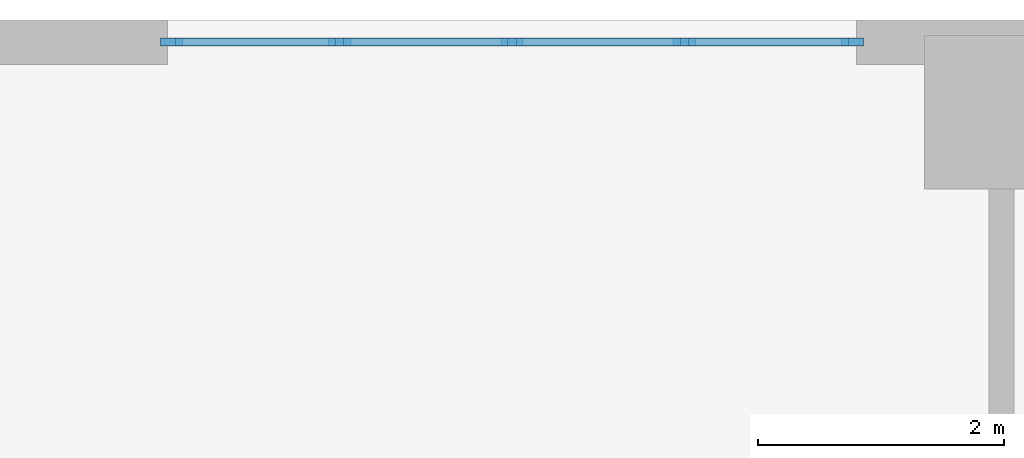
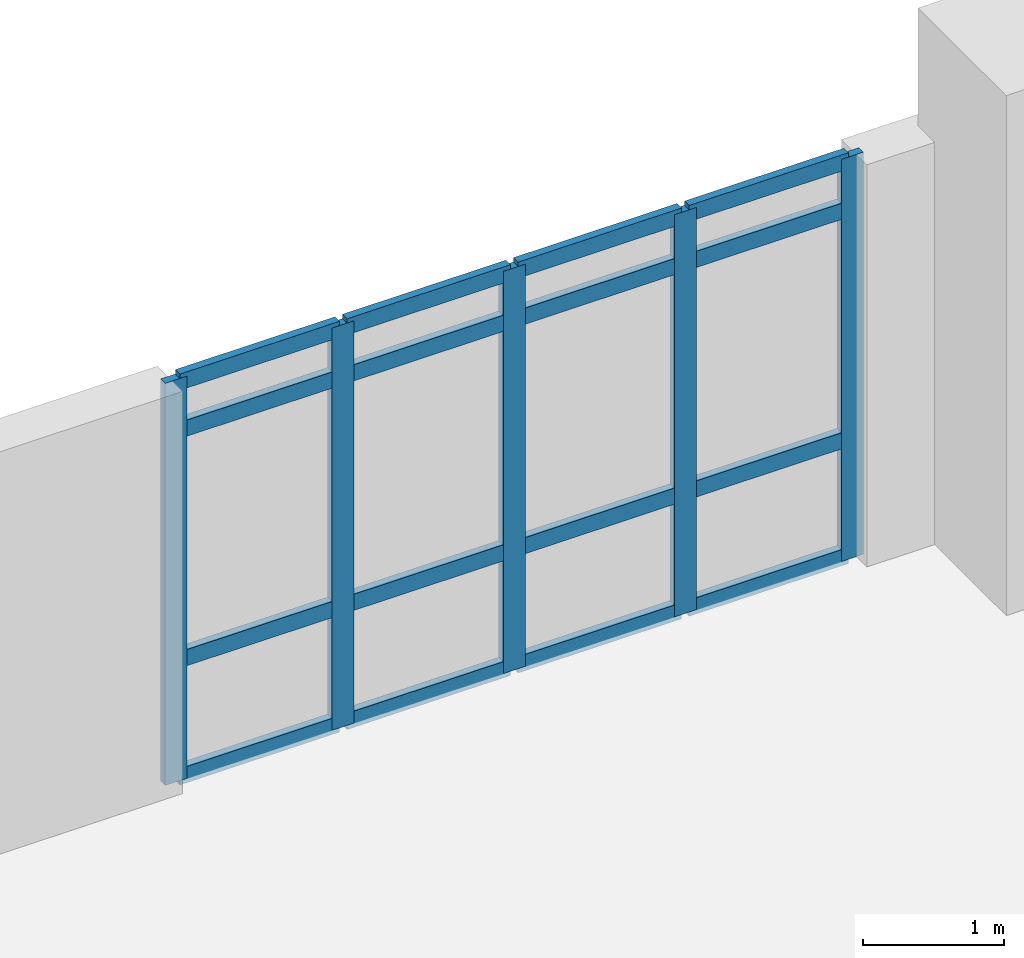
# One storey, part 4 of 14: 21 members, 1 element without a shape of its own.
"""IFC4 building model written with IfcOpenShell, lengths in metres."""

from ifc_helpers import new_model, si_unit, direction, frame, origin, origin_2d, place, context, subcontext, project, spatial, rectangle, extrude, material, material_profile, profile_set, type_object, element, aggregate, save


model = new_model("IFC4")

# Units and contexts
model_context = context("Model", 3, precision=1e-05, world=origin(), true_north=direction((0.0, 1.0)))
body_context = subcontext(model_context, "Body", "Model", "MODEL_VIEW")
ifc_project = project(units=[si_unit("LENGTHUNIT", "METRE"), si_unit("AREAUNIT", "SQUARE_METRE"), si_unit("VOLUMEUNIT", "CUBIC_METRE"), si_unit("PLANEANGLEUNIT", "RADIAN"), si_unit("MASSUNIT", "GRAM", prefix="KILO")], contexts=[model_context])

# Site, building, storey
site_placement = place(None, origin())
site = spatial("IfcSite", under=ifc_project, at=site_placement, CompositionType="ELEMENT")
building_placement = place(site_placement, origin())
building = spatial("IfcBuilding", under=site, at=building_placement, Name="Svetorya Sky Lyceum", CompositionType="ELEMENT")
storey_placement = place(building_placement, frame((0.0, 0.0, 15.60009765625)))
storey = spatial("IfcBuildingStorey", under=building, at=storey_placement, Name="L03", CompositionType="ELEMENT", Elevation=15.60009765625)

# Curtain wall, members
ifc_material_1 = material(Name="Thermally broken anodized aluminium and triple low-E glass", Category="aluminium")
curtain_wall_type = type_object("IfcCurtainWallType", Name="CW2-SCH-RIB", PredefinedType="NOTDEFINED", material=ifc_material_1)
curtain_wall_placement = place(storey_placement, origin())
curtain_wall = element("IfcCurtainWall", 1, at=curtain_wall_placement, inside=storey, type_object=curtain_wall_type, Name="L03 Lyceum Classroom Ribbon Curtain Wall 18", PredefinedType="NOTDEFINED")
ifc_material_2 = material(Name="Thermally broken anodized aluminium EN AW-6060", Category="aluminium")
ifc_material_profile_1 = material_profile(ifc_material_2, rectangle(XDim=0.06494140625, YDim=0.179931640625, at=origin_2d()), Name="ALU MULLION 65x180")
ifc_profile_set_1 = profile_set([ifc_material_profile_1], Name="Thermally broken anodized aluminium EN AW-6060")
member_type_1 = type_object("IfcMemberType", Name="CWM-MUL-180", PredefinedType="MULLION", material=ifc_profile_set_1)
member_1_placement = place(storey_placement, frame((62.137451171875, 56.219970703125, 0.0), z_axis=(0.0, 0.0, 1.0), x_axis=(0.0, -1.0, 0.0)))
member_1 = element("IfcMember", 2, at=member_1_placement, type_object=member_type_1, Name="CW-2 mullion 1", PredefinedType="MULLION", context=body_context, shape_type="SweptSolid", body=[
    extrude(rectangle(XDim=0.06494140625, YDim=0.179931640625, at=origin_2d()), origin(), (0.0, 0.0, 1.0), 3.47998046875),
])
member_2_placement = place(storey_placement, frame((60.77001953125, 56.219970703125, 0.0), z_axis=(0.0, 0.0, 1.0), x_axis=(0.0, -1.0, 0.0)))
member_2 = element("IfcMember", 3, at=member_2_placement, type_object=member_type_1, Name="CW-2 mullion 2", PredefinedType="MULLION", context=body_context, shape_type="SweptSolid", body=[
    extrude(rectangle(XDim=0.06494140625, YDim=0.179931640625, at=origin_2d()), origin(), (0.0, 0.0, 1.0), 3.47998046875),
])
member_3_placement = place(storey_placement, frame((59.3701171875, 56.219970703125, 0.0), z_axis=(0.0, 0.0, 1.0), x_axis=(0.0, -1.0, 0.0)))
member_3 = element("IfcMember", 4, at=member_3_placement, type_object=member_type_1, Name="CW-2 mullion 3", PredefinedType="MULLION", context=body_context, shape_type="SweptSolid", body=[
    extrude(rectangle(XDim=0.06494140625, YDim=0.179931640625, at=origin_2d()), origin(), (0.0, 0.0, 1.0), 3.47998046875),
])
member_4_placement = place(storey_placement, frame((57.969970703125, 56.219970703125, 0.0), z_axis=(0.0, 0.0, 1.0), x_axis=(0.0, -1.0, 0.0)))
member_4 = element("IfcMember", 5, at=member_4_placement, type_object=member_type_1, Name="CW-2 mullion 4", PredefinedType="MULLION", context=body_context, shape_type="SweptSolid", body=[
    extrude(rectangle(XDim=0.06494140625, YDim=0.179931640625, at=origin_2d()), origin(), (0.0, 0.0, 1.0), 3.47998046875),
])
member_5_placement = place(storey_placement, frame((56.6025390625, 56.219970703125, 0.0), z_axis=(0.0, 0.0, 1.0), x_axis=(0.0, -1.0, 0.0)))
member_5 = element("IfcMember", 6, at=member_5_placement, type_object=member_type_1, Name="CW-2 mullion 5", PredefinedType="MULLION", context=body_context, shape_type="SweptSolid", body=[
    extrude(rectangle(XDim=0.06494140625, YDim=0.179931640625, at=origin_2d()), origin(), (0.0, 0.0, 1.0), 3.47998046875),
])
ifc_material_profile_2 = material_profile(ifc_material_2, rectangle(XDim=0.06494140625, YDim=0.139892578125, at=origin_2d()), Name="ALU TRANSOM 65x140")
ifc_profile_set_2 = profile_set([ifc_material_profile_2], Name="Thermally broken anodized aluminium EN AW-6060")
member_type_2 = type_object("IfcMemberType", Name="CWM-TRN-140", PredefinedType="USERDEFINED", material=ifc_profile_set_2)
member_6_placement = place(storey_placement, frame((62.1064453125, 56.219970703125, 0.032470703125), z_axis=(-1.0, 0.0, 0.0), x_axis=(0.0, -1.0, 0.0)))
member_6 = element("IfcMember", 7, at=member_6_placement, type_object=member_type_2, Name="CW-2 transom 1.1", ObjectType="TRANSOM", PredefinedType="USERDEFINED", context=body_context, shape_type="SweptSolid", body=[
    extrude(rectangle(XDim=0.06494140625, YDim=0.139892578125, at=origin_2d()), origin(), (0.0, 0.0, 1.0), 1.305419921875),
])
member_7_placement = place(storey_placement, frame((62.1064453125, 56.219970703125, 1.0439453125), z_axis=(-1.0, 0.0, 0.0), x_axis=(0.0, -1.0, 0.0)))
member_7 = element("IfcMember", 8, at=member_7_placement, type_object=member_type_2, Name="CW-2 transom 1.2", ObjectType="TRANSOM", PredefinedType="USERDEFINED", context=body_context, shape_type="SweptSolid", body=[
    extrude(rectangle(XDim=0.06494140625, YDim=0.139892578125, at=origin_2d()), origin(), (0.0, 0.0, 1.0), 1.305419921875),
])
member_8_placement = place(storey_placement, frame((62.1064453125, 56.219970703125, 3.02978515625), z_axis=(-1.0, 0.0, 0.0), x_axis=(0.0, -1.0, 0.0)))
member_8 = element("IfcMember", 9, at=member_8_placement, type_object=member_type_2, Name="CW-2 transom 1.3", ObjectType="TRANSOM", PredefinedType="USERDEFINED", context=body_context, shape_type="SweptSolid", body=[
    extrude(rectangle(XDim=0.06494140625, YDim=0.139892578125, at=origin_2d()), origin(), (0.0, 0.0, 1.0), 1.305419921875),
])
member_9_placement = place(storey_placement, frame((62.1064453125, 56.219970703125, 3.447509765625), z_axis=(-1.0, 0.0, 0.0), x_axis=(0.0, -1.0, 0.0)))
member_9 = element("IfcMember", 10, at=member_9_placement, type_object=member_type_2, Name="CW-2 transom 1.4", ObjectType="TRANSOM", PredefinedType="USERDEFINED", context=body_context, shape_type="SweptSolid", body=[
    extrude(rectangle(XDim=0.06494140625, YDim=0.139892578125, at=origin_2d()), origin(), (0.0, 0.0, 1.0), 1.305419921875),
])
member_10_placement = place(storey_placement, frame((60.739013671875, 56.219970703125, 0.032470703125), z_axis=(-1.0, 0.0, 0.0), x_axis=(0.0, -1.0, 0.0)))
member_10 = element("IfcMember", 11, at=member_10_placement, type_object=member_type_2, Name="CW-2 transom 2.1", ObjectType="TRANSOM", PredefinedType="USERDEFINED", context=body_context, shape_type="SweptSolid", body=[
    extrude(rectangle(XDim=0.06494140625, YDim=0.139892578125, at=origin_2d()), origin(), (0.0, 0.0, 1.0), 1.338134765625),
])
member_11_placement = place(storey_placement, frame((60.739013671875, 56.219970703125, 1.0439453125), z_axis=(-1.0, 0.0, 0.0), x_axis=(0.0, -1.0, 0.0)))
member_11 = element("IfcMember", 12, at=member_11_placement, type_object=member_type_2, Name="CW-2 transom 2.2", ObjectType="TRANSOM", PredefinedType="USERDEFINED", context=body_context, shape_type="SweptSolid", body=[
    extrude(rectangle(XDim=0.06494140625, YDim=0.139892578125, at=origin_2d()), origin(), (0.0, 0.0, 1.0), 1.338134765625),
])
member_12_placement = place(storey_placement, frame((60.739013671875, 56.219970703125, 3.02978515625), z_axis=(-1.0, 0.0, 0.0), x_axis=(0.0, -1.0, 0.0)))
member_12 = element("IfcMember", 13, at=member_12_placement, type_object=member_type_2, Name="CW-2 transom 2.3", ObjectType="TRANSOM", PredefinedType="USERDEFINED", context=body_context, shape_type="SweptSolid", body=[
    extrude(rectangle(XDim=0.06494140625, YDim=0.139892578125, at=origin_2d()), origin(), (0.0, 0.0, 1.0), 1.338134765625),
])
member_13_placement = place(storey_placement, frame((60.739013671875, 56.219970703125, 3.447509765625), z_axis=(-1.0, 0.0, 0.0), x_axis=(0.0, -1.0, 0.0)))
member_13 = element("IfcMember", 14, at=member_13_placement, type_object=member_type_2, Name="CW-2 transom 2.4", ObjectType="TRANSOM", PredefinedType="USERDEFINED", context=body_context, shape_type="SweptSolid", body=[
    extrude(rectangle(XDim=0.06494140625, YDim=0.139892578125, at=origin_2d()), origin(), (0.0, 0.0, 1.0), 1.338134765625),
])
member_14_placement = place(storey_placement, frame((59.339111328125, 56.219970703125, 0.032470703125), z_axis=(-1.0, 0.0, 0.0), x_axis=(0.0, -1.0, 0.0)))
member_14 = element("IfcMember", 15, at=member_14_placement, type_object=member_type_2, Name="CW-2 transom 3.1", ObjectType="TRANSOM", PredefinedType="USERDEFINED", context=body_context, shape_type="SweptSolid", body=[
    extrude(rectangle(XDim=0.06494140625, YDim=0.139892578125, at=origin_2d()), origin(), (0.0, 0.0, 1.0), 1.338134765625),
])
member_15_placement = place(storey_placement, frame((59.339111328125, 56.219970703125, 1.0439453125), z_axis=(-1.0, 0.0, 0.0), x_axis=(0.0, -1.0, 0.0)))
member_15 = element("IfcMember", 16, at=member_15_placement, type_object=member_type_2, Name="CW-2 transom 3.2", ObjectType="TRANSOM", PredefinedType="USERDEFINED", context=body_context, shape_type="SweptSolid", body=[
    extrude(rectangle(XDim=0.06494140625, YDim=0.139892578125, at=origin_2d()), origin(), (0.0, 0.0, 1.0), 1.338134765625),
])
member_16_placement = place(storey_placement, frame((59.339111328125, 56.219970703125, 3.02978515625), z_axis=(-1.0, 0.0, 0.0), x_axis=(0.0, -1.0, 0.0)))
member_16 = element("IfcMember", 17, at=member_16_placement, type_object=member_type_2, Name="CW-2 transom 3.3", ObjectType="TRANSOM", PredefinedType="USERDEFINED", context=body_context, shape_type="SweptSolid", body=[
    extrude(rectangle(XDim=0.06494140625, YDim=0.139892578125, at=origin_2d()), origin(), (0.0, 0.0, 1.0), 1.338134765625),
])
member_17_placement = place(storey_placement, frame((59.339111328125, 56.219970703125, 3.447509765625), z_axis=(-1.0, 0.0, 0.0), x_axis=(0.0, -1.0, 0.0)))
member_17 = element("IfcMember", 18, at=member_17_placement, type_object=member_type_2, Name="CW-2 transom 3.4", ObjectType="TRANSOM", PredefinedType="USERDEFINED", context=body_context, shape_type="SweptSolid", body=[
    extrude(rectangle(XDim=0.06494140625, YDim=0.139892578125, at=origin_2d()), origin(), (0.0, 0.0, 1.0), 1.338134765625),
])
member_18_placement = place(storey_placement, frame((57.93896484375, 56.219970703125, 0.032470703125), z_axis=(-1.0, 0.0, 0.0), x_axis=(0.0, -1.0, 0.0)))
member_18 = element("IfcMember", 19, at=member_18_placement, type_object=member_type_2, Name="CW-2 transom 4.1", ObjectType="TRANSOM", PredefinedType="USERDEFINED", context=body_context, shape_type="SweptSolid", body=[
    extrude(rectangle(XDim=0.06494140625, YDim=0.139892578125, at=origin_2d()), origin(), (0.0, 0.0, 1.0), 1.305419921875),
])
member_19_placement = place(storey_placement, frame((57.93896484375, 56.219970703125, 1.0439453125), z_axis=(-1.0, 0.0, 0.0), x_axis=(0.0, -1.0, 0.0)))
member_19 = element("IfcMember", 20, at=member_19_placement, type_object=member_type_2, Name="CW-2 transom 4.2", ObjectType="TRANSOM", PredefinedType="USERDEFINED", context=body_context, shape_type="SweptSolid", body=[
    extrude(rectangle(XDim=0.06494140625, YDim=0.139892578125, at=origin_2d()), origin(), (0.0, 0.0, 1.0), 1.305419921875),
])
member_20_placement = place(storey_placement, frame((57.93896484375, 56.219970703125, 3.02978515625), z_axis=(-1.0, 0.0, 0.0), x_axis=(0.0, -1.0, 0.0)))
member_20 = element("IfcMember", 21, at=member_20_placement, type_object=member_type_2, Name="CW-2 transom 4.3", ObjectType="TRANSOM", PredefinedType="USERDEFINED", context=body_context, shape_type="SweptSolid", body=[
    extrude(rectangle(XDim=0.06494140625, YDim=0.139892578125, at=origin_2d()), origin(), (0.0, 0.0, 1.0), 1.305419921875),
])
member_21_placement = place(storey_placement, frame((57.93896484375, 56.219970703125, 3.447509765625), z_axis=(-1.0, 0.0, 0.0), x_axis=(0.0, -1.0, 0.0)))
member_21 = element("IfcMember", 22, at=member_21_placement, type_object=member_type_2, Name="CW-2 transom 4.4", ObjectType="TRANSOM", PredefinedType="USERDEFINED", context=body_context, shape_type="SweptSolid", body=[
    extrude(rectangle(XDim=0.06494140625, YDim=0.139892578125, at=origin_2d()), origin(), (0.0, 0.0, 1.0), 1.305419921875),
])
aggregate(curtain_wall, [member_1, member_2, member_3, member_4, member_5, member_6, member_7, member_8, member_9, member_10, member_11, member_12, member_13, member_14, member_15, member_16, member_17, member_18, member_19, member_20, member_21])

save(model, "model.ifc")
